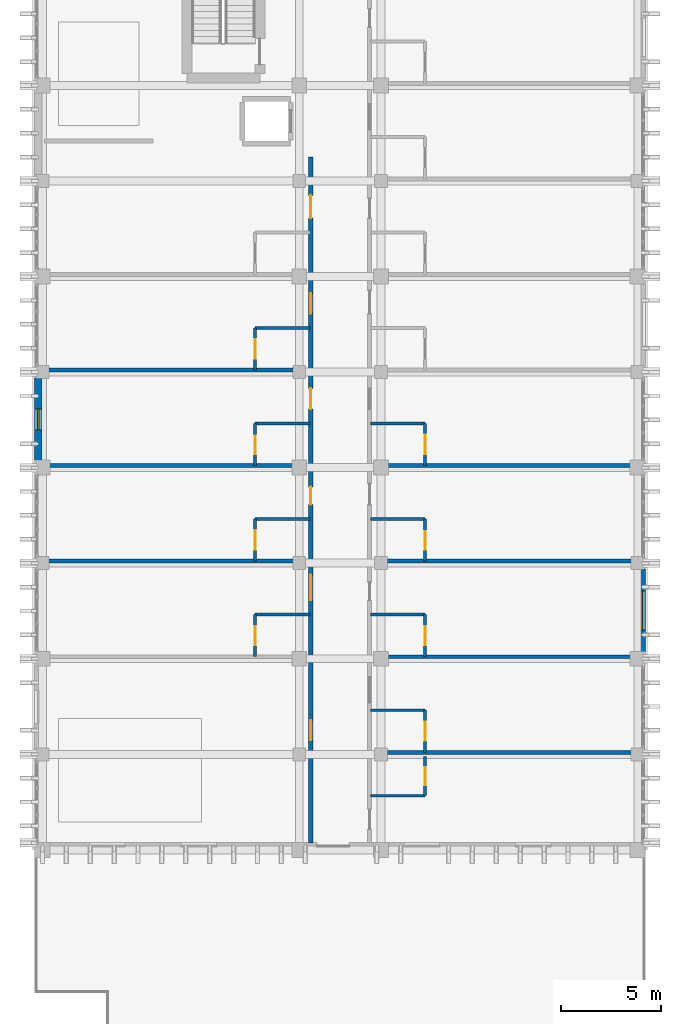
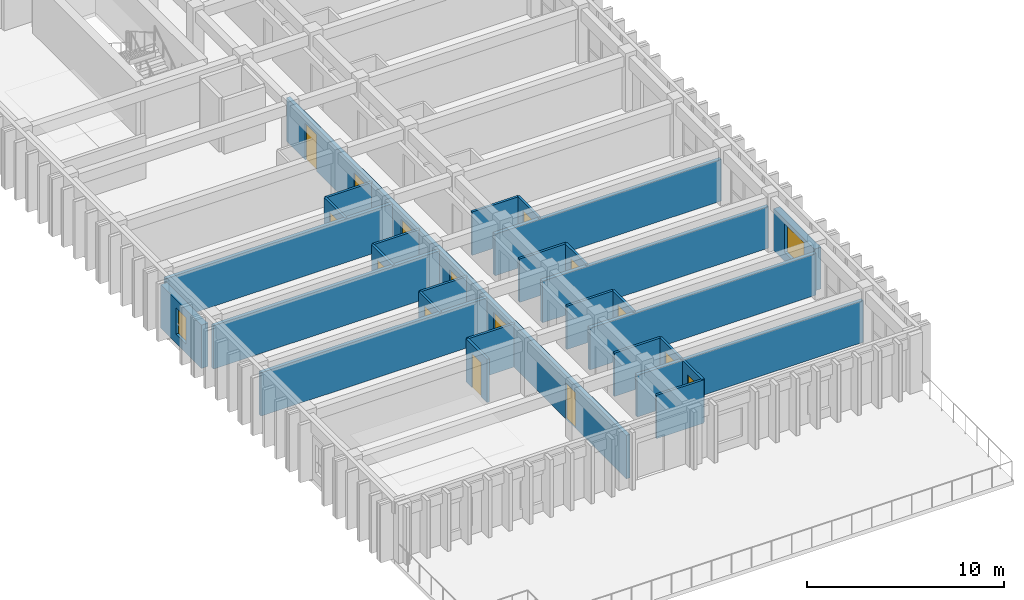
# One storey, part 50 of 64: 28 walls, 15 doors, 2 windows, 17 openings.
"""IFC4 building model written with IfcOpenShell, lengths in metres."""

from ifc_helpers import new_model, si_unit, direction, frame, frame_2d, origin, place, context, subcontext, project, spatial, rectangle, extrude, material, layer, layer_set, type_object, element, fill, save


model = new_model("IFC4")

# Units and contexts
model_context = context("Model", 3, precision=1e-05, world=origin(), true_north=direction((0.0, 1.0)))
body_context = subcontext(model_context, "Body", "Model", "MODEL_VIEW")
ifc_project = project(units=[si_unit("LENGTHUNIT", "METRE"), si_unit("AREAUNIT", "SQUARE_METRE"), si_unit("VOLUMEUNIT", "CUBIC_METRE"), si_unit("PLANEANGLEUNIT", "RADIAN"), si_unit("MASSUNIT", "GRAM", prefix="KILO")], contexts=[model_context])

# Site, building, storey
site_placement = place(None, origin())
site = spatial("IfcSite", under=ifc_project, at=site_placement, CompositionType="ELEMENT")
building_placement = place(site_placement, origin())
building = spatial("IfcBuilding", under=site, at=building_placement, Name="Nakhvara Creek Congress Hotel", CompositionType="ELEMENT")
storey_placement = place(building_placement, frame((0.0, 0.0, 28.199951171875)))
storey = spatial("IfcBuildingStorey", under=building, at=storey_placement, Name="L06", CompositionType="ELEMENT", Elevation=28.199951171875)

# Wall, openings, doors
ifc_material_1 = material(Name="Gypsum acoustic board on steel stud", Category="steel")
ifc_layer_1 = layer(ifc_material_1, 0.219970703125)
ifc_layer_set_1 = layer_set([ifc_layer_1], Name="Gypsum acoustic board on steel stud")
wall_type_1 = type_object("IfcWallType", Name="W-CORR-220", PredefinedType="PARTITIONING", material=ifc_layer_set_1)
wall_1_placement = place(storey_placement, frame((162.919921875, 38.75, 0.0), z_axis=(0.0, 0.0, 1.0), x_axis=(0.0, 1.0, 0.0)))
wall_1 = element("IfcWall", 1, at=wall_1_placement, inside=storey, type_object=wall_type_1, Name="Interior Wall WP11-IW-L06-0439", PredefinedType="PARTITIONING", context=body_context, shape_type="SweptSolid", body=[
    extrude(rectangle(XDim=34.449951171875, YDim=0.219970703125, at=frame_2d((17.22509765625, 0.0))), origin(), (0.0, 0.0, 1.0), 2.68212890625),
])
opening_1_placement = place(wall_1_placement, frame((5.14990234375, 0.0, 0.0)))
opening_1 = element("IfcOpeningElement", 2, at=opening_1_placement, cuts=wall_1, Name="Opening GD01", PredefinedType="OPENING", context=body_context, shape_type="SweptSolid", body=[
    extrude(rectangle(XDim=1.02001953125, YDim=2.199951171875, at=frame_2d((0.510009765625, 1.10009765625))), frame((0.0, 0.1220703125, 0.0), z_axis=(0.0, -1.0, 0.0), x_axis=(1.0, 0.0, 0.0)), (0.0, 0.0, 1.0), 0.243896484375),
])
opening_2_placement = place(wall_1_placement, frame((12.18798828125, 0.0, 0.0)))
opening_2 = element("IfcOpeningElement", 3, at=opening_2_placement, cuts=wall_1, Name="Opening ID07", PredefinedType="OPENING", context=body_context, shape_type="SweptSolid", body=[
    extrude(rectangle(XDim=1.280029296875, YDim=2.159912109375, at=frame_2d((0.64013671875, 1.080078125))), frame((0.0, 0.1220703125, 0.0), z_axis=(0.0, -1.0, 0.0), x_axis=(1.0, 0.0, 0.0)), (0.0, 0.0, 1.0), 0.243896484375),
])
opening_3_placement = place(wall_1_placement, frame((16.988037109375, 0.0, 0.0)))
opening_3 = element("IfcOpeningElement", 4, at=opening_3_placement, cuts=wall_1, Name="Opening ID03", PredefinedType="OPENING", context=body_context, shape_type="SweptSolid", body=[
    extrude(rectangle(XDim=0.89990234375, YDim=2.080078125, at=frame_2d((0.449951171875, 1.0400390625))), frame((0.0, 0.1220703125, 0.0), z_axis=(0.0, -1.0, 0.0), x_axis=(1.0, 0.0, 0.0)), (0.0, 0.0, 1.0), 0.243896484375),
])
opening_4_placement = place(wall_1_placement, frame((21.7880859375, 0.0, 0.0)))
opening_4 = element("IfcOpeningElement", 5, at=opening_4_placement, cuts=wall_1, Name="Opening GD04", PredefinedType="OPENING", context=body_context, shape_type="SweptSolid", body=[
    extrude(rectangle(XDim=1.050048828125, YDim=2.219970703125, at=frame_2d((0.52490234375, 1.10986328125))), frame((0.0, 0.1220703125, 0.0), z_axis=(0.0, -1.0, 0.0), x_axis=(1.0, 0.0, 0.0)), (0.0, 0.0, 1.0), 0.243896484375),
])
opening_5_placement = place(wall_1_placement, frame((26.587890625, 0.0, 0.0)))
opening_5 = element("IfcOpeningElement", 6, at=opening_5_placement, cuts=wall_1, Name="Opening GD01", PredefinedType="OPENING", context=body_context, shape_type="SweptSolid", body=[
    extrude(rectangle(XDim=1.02001953125, YDim=2.199951171875, at=frame_2d((0.510009765625, 1.10009765625))), frame((0.0, 0.1220703125, 0.0), z_axis=(0.0, -1.0, 0.0), x_axis=(1.0, 0.0, 0.0)), (0.0, 0.0, 1.0), 0.243896484375),
])
opening_6_placement = place(wall_1_placement, frame((31.387939453125, 0.0, 0.0)))
opening_6 = element("IfcOpeningElement", 7, at=opening_6_placement, cuts=wall_1, Name="Opening GD05", PredefinedType="OPENING", context=body_context, shape_type="SweptSolid", body=[
    extrude(rectangle(XDim=1.139892578125, YDim=2.260009765625, at=frame_2d((0.56982421875, 1.1298828125))), frame((0.0, 0.1220703125, 0.0), z_axis=(0.0, -1.0, 0.0), x_axis=(1.0, 0.0, 0.0)), (0.0, 0.0, 1.0), 0.243896484375),
])
ifc_material_2 = material(Name="Brushed stainless-clad BOH door")
door_type_1 = type_object("IfcDoorType", Name="DT-BOH-128", OperationType="NOTDEFINED", PredefinedType="DOOR", material=ifc_material_2)
door_1_placement = place(opening_2_placement, frame((1.280029296875, 0.0, 0.0), z_axis=(0.0, 0.0, 1.0), x_axis=(-1.0, 0.0, 0.0)))
door_1 = element("IfcDoor", 8, at=door_1_placement, inside=storey, type_object=door_type_1, Name="Interior Door ID07-0350", OperationType="SINGLE_SWING_LEFT", OverallHeight=2.159912109375, OverallWidth=1.280029296875, PredefinedType="DOOR", context=body_context, shape_type="SweptSolid", body=[
    extrude(rectangle(XDim=1.280029296875, YDim=2.159912109375, at=frame_2d((0.64013671875, 1.080078125))), frame((0.0, 0.02490234375, 0.0), z_axis=(0.0, -1.0, 0.0), x_axis=(1.0, 0.0, 0.0)), (0.0, 0.0, 1.0), 0.050048828125),
])
fill(opening_2, door_1)
ifc_material_3 = material(Name="Walnut hardwood timber fire door", Category="wood")
door_type_2 = type_object("IfcDoorType", Name="DT-GUEST-102", OperationType="NOTDEFINED", PredefinedType="DOOR", material=ifc_material_3)
door_2_placement = place(opening_1_placement, frame((1.02001953125, 0.0, 0.0), z_axis=(0.0, 0.0, 1.0), x_axis=(-1.0, 0.0, 0.0)))
door_2 = element("IfcDoor", 9, at=door_2_placement, inside=storey, type_object=door_type_2, Name="Interior Door GD01-0346", OperationType="SINGLE_SWING_LEFT", OverallHeight=2.199951171875, OverallWidth=1.02001953125, PredefinedType="DOOR", context=body_context, shape_type="SweptSolid", body=[
    extrude(rectangle(XDim=1.02001953125, YDim=2.199951171875, at=frame_2d((0.510009765625, 1.10009765625))), frame((0.0, 0.02490234375, 0.0), z_axis=(0.0, -1.0, 0.0), x_axis=(1.0, 0.0, 0.0)), (0.0, 0.0, 1.0), 0.050048828125),
])
fill(opening_1, door_2)
door_3_placement = place(opening_5_placement, frame((1.02001953125, 0.0, 0.0), z_axis=(0.0, 0.0, 1.0), x_axis=(-1.0, 0.0, 0.0)))
door_3 = element("IfcDoor", 10, at=door_3_placement, inside=storey, type_object=door_type_2, Name="Interior Door GD01-0356", OperationType="SINGLE_SWING_LEFT", OverallHeight=2.199951171875, OverallWidth=1.02001953125, PredefinedType="DOOR", context=body_context, shape_type="SweptSolid", body=[
    extrude(rectangle(XDim=1.02001953125, YDim=2.199951171875, at=frame_2d((0.510009765625, 1.10009765625))), frame((0.0, 0.02490234375, 0.0), z_axis=(0.0, -1.0, 0.0), x_axis=(1.0, 0.0, 0.0)), (0.0, 0.0, 1.0), 0.050048828125),
])
fill(opening_5, door_3)
door_type_3 = type_object("IfcDoorType", Name="DT-GUEST-105", OperationType="NOTDEFINED", PredefinedType="DOOR", material=ifc_material_3)
door_4_placement = place(opening_4_placement, frame((1.050048828125, 0.0, 0.0), z_axis=(0.0, 0.0, 1.0), x_axis=(-1.0, 0.0, 0.0)))
door_4 = element("IfcDoor", 11, at=door_4_placement, inside=storey, type_object=door_type_3, Name="Interior Door GD04-0354", OperationType="SINGLE_SWING_LEFT", OverallHeight=2.219970703125, OverallWidth=1.050048828125, PredefinedType="DOOR", context=body_context, shape_type="SweptSolid", body=[
    extrude(rectangle(XDim=1.050048828125, YDim=2.219970703125, at=frame_2d((0.52490234375, 1.10986328125))), frame((0.0, 0.02490234375, 0.0), z_axis=(0.0, -1.0, 0.0), x_axis=(1.0, 0.0, 0.0)), (0.0, 0.0, 1.0), 0.050048828125),
])
fill(opening_4, door_4)
door_type_4 = type_object("IfcDoorType", Name="DT-GUEST-114", OperationType="NOTDEFINED", PredefinedType="DOOR", material=ifc_material_3)
door_5_placement = place(opening_6_placement, frame((1.139892578125, 0.0, 0.0), z_axis=(0.0, 0.0, 1.0), x_axis=(-1.0, 0.0, 0.0)))
door_5 = element("IfcDoor", 12, at=door_5_placement, inside=storey, type_object=door_type_4, Name="Interior Door GD05-0358", OperationType="SINGLE_SWING_LEFT", OverallHeight=2.260009765625, OverallWidth=1.139892578125, PredefinedType="DOOR", context=body_context, shape_type="SweptSolid", body=[
    extrude(rectangle(XDim=1.139892578125, YDim=2.260009765625, at=frame_2d((0.56982421875, 1.1298828125))), frame((0.0, 0.02490234375, 0.0), z_axis=(0.0, -1.0, 0.0), x_axis=(1.0, 0.0, 0.0)), (0.0, 0.0, 1.0), 0.050048828125),
])
fill(opening_6, door_5)
ifc_material_4 = material(Name="Moisture-resistant laminate timber door", Category="wood")
door_type_5 = type_object("IfcDoorType", Name="DT-WC-090", OperationType="NOTDEFINED", PredefinedType="DOOR", material=ifc_material_4)
door_6_placement = place(opening_3_placement, frame((0.89990234375, 0.0, 0.0), z_axis=(0.0, 0.0, 1.0), x_axis=(-1.0, 0.0, 0.0)))
door_6 = element("IfcDoor", 13, at=door_6_placement, inside=storey, type_object=door_type_5, Name="Interior Door ID03-0352", OperationType="SINGLE_SWING_LEFT", OverallHeight=2.080078125, OverallWidth=0.89990234375, PredefinedType="DOOR", context=body_context, shape_type="SweptSolid", body=[
    extrude(rectangle(XDim=0.89990234375, YDim=2.080078125, at=frame_2d((0.449951171875, 1.0400390625))), frame((0.0, 0.02490234375, 0.0), z_axis=(0.0, -1.0, 0.0), x_axis=(1.0, 0.0, 0.0)), (0.0, 0.0, 1.0), 0.050048828125),
])
fill(opening_3, door_6)

# Wall, opening, door
ifc_material_5 = material(Name="Moisture-resistant gypsum board partition")
ifc_layer_2 = layer(ifc_material_5, 0.139892578125)
ifc_layer_set_2 = layer_set([ifc_layer_2], Name="Moisture-resistant gypsum board partition")
wall_type_2 = type_object("IfcWallType", Name="W-ENS-140", PredefinedType="PARTITIONING", material=ifc_layer_set_2)
wall_2_placement = place(storey_placement, frame((160.1298828125, 48.10009765625, 0.0), z_axis=(0.0, 0.0, 1.0), x_axis=(0.0, 1.0, 0.0)))
wall_2 = element("IfcWall", 14, at=wall_2_placement, inside=storey, type_object=wall_type_2, Name="Interior Wall WP15-IW-L06-0451", PredefinedType="PARTITIONING", context=body_context, shape_type="SweptSolid", body=[
    extrude(rectangle(XDim=2.115966796875, YDim=0.139892578125, at=frame_2d((1.05810546875, 0.0))), origin(), (0.0, 0.0, 1.0), 2.68212890625),
])
opening_7_placement = place(wall_2_placement, frame((0.5830078125, 0.0, 0.0)))
opening_7 = element("IfcOpeningElement", 15, at=opening_7_placement, cuts=wall_2, Name="Opening ID02", PredefinedType="OPENING", context=body_context, shape_type="SweptSolid", body=[
    extrude(rectangle(XDim=0.9599609375, YDim=2.1201171875, at=frame_2d((0.47998046875, 1.06005859375))), frame((0.0, 0.08203125, 0.0), z_axis=(0.0, -1.0, 0.0), x_axis=(1.0, 0.0, 0.0)), (0.0, 0.0, 1.0), 0.163818359375),
])
ifc_material_6 = material(Name="Moisture-resistant walnut timber door", Category="wood")
door_type_6 = type_object("IfcDoorType", Name="DT-ENS-096", OperationType="NOTDEFINED", PredefinedType="DOOR", material=ifc_material_6)
door_7_placement = place(opening_7_placement, origin())
door_7 = element("IfcDoor", 16, at=door_7_placement, inside=storey, type_object=door_type_6, Name="Interior Door ID02-0351", OperationType="SINGLE_SWING_RIGHT", OverallHeight=2.1201171875, OverallWidth=0.9599609375, PredefinedType="DOOR", context=body_context, shape_type="SweptSolid", body=[
    extrude(rectangle(XDim=0.9599609375, YDim=2.1201171875, at=frame_2d((0.47998046875, 1.06005859375))), frame((0.0, 0.02490234375, 0.0), z_axis=(0.0, -1.0, 0.0), x_axis=(1.0, 0.0, 0.0)), (0.0, 0.0, 1.0), 0.050048828125),
])
fill(opening_7, door_7)

# Wall
wall_3_placement = place(storey_placement, frame((160.1298828125, 50.216064453125, 0.0), z_axis=(0.0, 0.0, 1.0), x_axis=(1.0, 0.0, 0.0)))
element("IfcWall", 17, at=wall_3_placement, inside=storey, type_object=wall_type_2, Name="Interior Wall WP15-IW-L06-0452", PredefinedType="PARTITIONING", context=body_context, shape_type="SweptSolid", body=[
    extrude(rectangle(XDim=2.75, YDim=0.139892578125, at=frame_2d((1.375, 0.0))), origin(), (0.0, 0.0, 1.0), 2.68212890625),
])

# Wall, opening, door
wall_4_placement = place(storey_placement, frame((160.1298828125, 52.89990234375, 0.0), z_axis=(0.0, 0.0, 1.0), x_axis=(0.0, 1.0, 0.0)))
wall_4 = element("IfcWall", 18, at=wall_4_placement, inside=storey, type_object=wall_type_2, Name="Interior Wall WP15-IW-L06-0454", PredefinedType="PARTITIONING", context=body_context, shape_type="SweptSolid", body=[
    extrude(rectangle(XDim=2.1162109375, YDim=0.139892578125, at=frame_2d((1.05810546875, 0.0))), origin(), (0.0, 0.0, 1.0), 2.68212890625),
])
opening_8_placement = place(wall_4_placement, frame((0.5830078125, 0.0, 0.0)))
opening_8 = element("IfcOpeningElement", 19, at=opening_8_placement, cuts=wall_4, Name="Opening ID02", PredefinedType="OPENING", context=body_context, shape_type="SweptSolid", body=[
    extrude(rectangle(XDim=0.9599609375, YDim=2.1201171875, at=frame_2d((0.47998046875, 1.06005859375))), frame((0.0, 0.08203125, 0.0), z_axis=(0.0, -1.0, 0.0), x_axis=(1.0, 0.0, 0.0)), (0.0, 0.0, 1.0), 0.163818359375),
])
door_8_placement = place(opening_8_placement, origin())
door_8 = element("IfcDoor", 20, at=door_8_placement, inside=storey, type_object=door_type_6, Name="Interior Door ID02-0353", OperationType="SINGLE_SWING_RIGHT", OverallHeight=2.1201171875, OverallWidth=0.9599609375, PredefinedType="DOOR", context=body_context, shape_type="SweptSolid", body=[
    extrude(rectangle(XDim=0.9599609375, YDim=2.1201171875, at=frame_2d((0.47998046875, 1.06005859375))), frame((0.0, 0.02490234375, 0.0), z_axis=(0.0, -1.0, 0.0), x_axis=(1.0, 0.0, 0.0)), (0.0, 0.0, 1.0), 0.050048828125),
])
fill(opening_8, door_8)

# Wall
wall_5_placement = place(storey_placement, frame((160.1298828125, 55.01611328125, 0.0), z_axis=(0.0, 0.0, 1.0), x_axis=(1.0, 0.0, 0.0)))
element("IfcWall", 21, at=wall_5_placement, inside=storey, type_object=wall_type_2, Name="Interior Wall WP15-IW-L06-0455", PredefinedType="PARTITIONING", context=body_context, shape_type="SweptSolid", body=[
    extrude(rectangle(XDim=2.75, YDim=0.139892578125, at=frame_2d((1.375, 0.0))), origin(), (0.0, 0.0, 1.0), 2.68212890625),
])

# Wall, opening, door
wall_6_placement = place(storey_placement, frame((160.1298828125, 57.699951171875, 0.0), z_axis=(0.0, 0.0, 1.0), x_axis=(0.0, 1.0, 0.0)))
wall_6 = element("IfcWall", 22, at=wall_6_placement, inside=storey, type_object=wall_type_2, Name="Interior Wall WP15-IW-L06-0457", PredefinedType="PARTITIONING", context=body_context, shape_type="SweptSolid", body=[
    extrude(rectangle(XDim=2.115966796875, YDim=0.139892578125, at=frame_2d((1.05810546875, 0.0))), origin(), (0.0, 0.0, 1.0), 2.68212890625),
])
opening_9_placement = place(wall_6_placement, frame((0.5830078125, 0.0, 0.0)))
opening_9 = element("IfcOpeningElement", 23, at=opening_9_placement, cuts=wall_6, Name="Opening ID01", PredefinedType="OPENING", context=body_context, shape_type="SweptSolid", body=[
    extrude(rectangle(XDim=0.919921875, YDim=2.10009765625, at=frame_2d((0.4599609375, 1.050048828125))), frame((0.0, 0.08203125, 0.0), z_axis=(0.0, -1.0, 0.0), x_axis=(1.0, 0.0, 0.0)), (0.0, 0.0, 1.0), 0.163818359375),
])
door_type_7 = type_object("IfcDoorType", Name="DT-ENS-092", OperationType="NOTDEFINED", PredefinedType="DOOR", material=ifc_material_6)
door_9_placement = place(opening_9_placement, origin())
door_9 = element("IfcDoor", 24, at=door_9_placement, inside=storey, type_object=door_type_7, Name="Interior Door ID01-0355", OperationType="SINGLE_SWING_RIGHT", OverallHeight=2.10009765625, OverallWidth=0.919921875, PredefinedType="DOOR", context=body_context, shape_type="SweptSolid", body=[
    extrude(rectangle(XDim=0.919921875, YDim=2.10009765625, at=frame_2d((0.4599609375, 1.050048828125))), frame((0.0, 0.02490234375, 0.0), z_axis=(0.0, -1.0, 0.0), x_axis=(1.0, 0.0, 0.0)), (0.0, 0.0, 1.0), 0.050048828125),
])
fill(opening_9, door_9)

# Wall
wall_7_placement = place(storey_placement, frame((160.1298828125, 59.81591796875, 0.0), z_axis=(0.0, 0.0, 1.0), x_axis=(1.0, 0.0, 0.0)))
element("IfcWall", 25, at=wall_7_placement, inside=storey, type_object=wall_type_2, Name="Interior Wall WP15-IW-L06-0458", PredefinedType="PARTITIONING", context=body_context, shape_type="SweptSolid", body=[
    extrude(rectangle(XDim=2.75, YDim=0.139892578125, at=frame_2d((1.375, 0.0))), origin(), (0.0, 0.0, 1.0), 2.68212890625),
])

# Wall, opening, door
wall_8_placement = place(storey_placement, frame((160.1298828125, 62.5, 0.0), z_axis=(0.0, 0.0, 1.0), x_axis=(0.0, 1.0, 0.0)))
wall_8 = element("IfcWall", 26, at=wall_8_placement, inside=storey, type_object=wall_type_2, Name="Interior Wall WP15-IW-L06-0460", PredefinedType="PARTITIONING", context=body_context, shape_type="SweptSolid", body=[
    extrude(rectangle(XDim=2.115966796875, YDim=0.139892578125, at=frame_2d((1.05810546875, 0.0))), origin(), (0.0, 0.0, 1.0), 2.68212890625),
])
opening_10_placement = place(wall_8_placement, frame((0.5830078125, 0.0, 0.0)))
opening_10 = element("IfcOpeningElement", 27, at=opening_10_placement, cuts=wall_8, Name="Opening ID02", PredefinedType="OPENING", context=body_context, shape_type="SweptSolid", body=[
    extrude(rectangle(XDim=0.9599609375, YDim=2.1201171875, at=frame_2d((0.47998046875, 1.06005859375))), frame((0.0, 0.08203125, 0.0), z_axis=(0.0, -1.0, 0.0), x_axis=(1.0, 0.0, 0.0)), (0.0, 0.0, 1.0), 0.163818359375),
])
door_10_placement = place(opening_10_placement, origin())
door_10 = element("IfcDoor", 28, at=door_10_placement, inside=storey, type_object=door_type_6, Name="Interior Door ID02-0357", OperationType="SINGLE_SWING_RIGHT", OverallHeight=2.1201171875, OverallWidth=0.9599609375, PredefinedType="DOOR", context=body_context, shape_type="SweptSolid", body=[
    extrude(rectangle(XDim=0.9599609375, YDim=2.1201171875, at=frame_2d((0.47998046875, 1.06005859375))), frame((0.0, 0.02490234375, 0.0), z_axis=(0.0, -1.0, 0.0), x_axis=(1.0, 0.0, 0.0)), (0.0, 0.0, 1.0), 0.050048828125),
])
fill(opening_10, door_10)

# Wall
wall_9_placement = place(storey_placement, frame((160.1298828125, 64.615966796875, 0.0), z_axis=(0.0, 0.0, 1.0), x_axis=(1.0, 0.0, 0.0)))
element("IfcWall", 29, at=wall_9_placement, inside=storey, type_object=wall_type_2, Name="Interior Wall WP15-IW-L06-0461", PredefinedType="PARTITIONING", context=body_context, shape_type="SweptSolid", body=[
    extrude(rectangle(XDim=2.75, YDim=0.139892578125, at=frame_2d((1.375, 0.0))), origin(), (0.0, 0.0, 1.0), 2.68212890625),
])

# Wall, opening, door
wall_10_placement = place(storey_placement, frame((168.669921875, 41.1220703125, 0.0), z_axis=(0.0, 0.0, 1.0), x_axis=(0.0, 1.0, 0.0)))
wall_10 = element("IfcWall", 30, at=wall_10_placement, inside=storey, type_object=wall_type_2, Name="Interior Wall WP15-IW-L06-0465", PredefinedType="PARTITIONING", context=body_context, shape_type="SweptSolid", body=[
    extrude(rectangle(XDim=1.97802734375, YDim=0.139892578125, at=frame_2d((0.989013671875, 0.0))), origin(), (0.0, 0.0, 1.0), 2.68212890625),
])
opening_11_placement = place(wall_10_placement, frame((0.513916015625, 0.0, 0.0)))
opening_11 = element("IfcOpeningElement", 31, at=opening_11_placement, cuts=wall_10, Name="Opening ID01", PredefinedType="OPENING", context=body_context, shape_type="SweptSolid", body=[
    extrude(rectangle(XDim=0.919921875, YDim=2.10009765625, at=frame_2d((0.4599609375, 1.050048828125))), frame((0.0, 0.08203125, 0.0), z_axis=(0.0, -1.0, 0.0), x_axis=(1.0, 0.0, 0.0)), (0.0, 0.0, 1.0), 0.163818359375),
])
door_11_placement = place(opening_11_placement, frame((0.919921875, 0.0, 0.0), z_axis=(0.0, 0.0, 1.0), x_axis=(-1.0, 0.0, 0.0)))
door_11 = element("IfcDoor", 32, at=door_11_placement, inside=storey, type_object=door_type_7, Name="Interior Door ID01-0361", OperationType="SINGLE_SWING_RIGHT", OverallHeight=2.10009765625, OverallWidth=0.919921875, PredefinedType="DOOR", context=body_context, shape_type="SweptSolid", body=[
    extrude(rectangle(XDim=0.919921875, YDim=2.10009765625, at=frame_2d((0.4599609375, 1.050048828125))), frame((0.0, 0.02490234375, 0.0), z_axis=(0.0, -1.0, 0.0), x_axis=(1.0, 0.0, 0.0)), (0.0, 0.0, 1.0), 0.050048828125),
])
fill(opening_11, door_11)

# Wall
wall_11_placement = place(storey_placement, frame((165.919921875, 41.1220703125, 0.0), z_axis=(0.0, 0.0, 1.0), x_axis=(1.0, 0.0, 0.0)))
element("IfcWall", 33, at=wall_11_placement, inside=storey, type_object=wall_type_2, Name="Interior Wall WP15-IW-L06-0466", PredefinedType="PARTITIONING", context=body_context, shape_type="SweptSolid", body=[
    extrude(rectangle(XDim=2.75, YDim=0.139892578125, at=frame_2d((1.375, 0.0))), origin(), (0.0, 0.0, 1.0), 2.68212890625),
])

# Wall, opening, door
wall_12_placement = place(storey_placement, frame((168.669921875, 43.300048828125, 0.0), z_axis=(0.0, 0.0, 1.0), x_axis=(0.0, 1.0, 0.0)))
wall_12 = element("IfcWall", 34, at=wall_12_placement, inside=storey, type_object=wall_type_2, Name="Interior Wall WP15-IW-L06-0468", PredefinedType="PARTITIONING", context=body_context, shape_type="SweptSolid", body=[
    extrude(rectangle(XDim=2.115966796875, YDim=0.139892578125, at=frame_2d((1.05810546875, 0.0))), origin(), (0.0, 0.0, 1.0), 2.68212890625),
])
opening_12_placement = place(wall_12_placement, frame((0.5830078125, 0.0, 0.0)))
opening_12 = element("IfcOpeningElement", 35, at=opening_12_placement, cuts=wall_12, Name="Opening ID02", PredefinedType="OPENING", context=body_context, shape_type="SweptSolid", body=[
    extrude(rectangle(XDim=0.9599609375, YDim=2.1201171875, at=frame_2d((0.47998046875, 1.06005859375))), frame((0.0, 0.08203125, 0.0), z_axis=(0.0, -1.0, 0.0), x_axis=(1.0, 0.0, 0.0)), (0.0, 0.0, 1.0), 0.163818359375),
])
door_12_placement = place(opening_12_placement, frame((0.9599609375, 0.0, 0.0), z_axis=(0.0, 0.0, 1.0), x_axis=(-1.0, 0.0, 0.0)))
door_12 = element("IfcDoor", 36, at=door_12_placement, inside=storey, type_object=door_type_6, Name="Interior Door ID02-0363", OperationType="SINGLE_SWING_RIGHT", OverallHeight=2.1201171875, OverallWidth=0.9599609375, PredefinedType="DOOR", context=body_context, shape_type="SweptSolid", body=[
    extrude(rectangle(XDim=0.9599609375, YDim=2.1201171875, at=frame_2d((0.47998046875, 1.06005859375))), frame((0.0, 0.02490234375, 0.0), z_axis=(0.0, -1.0, 0.0), x_axis=(1.0, 0.0, 0.0)), (0.0, 0.0, 1.0), 0.050048828125),
])
fill(opening_12, door_12)

# Wall
wall_13_placement = place(storey_placement, frame((165.919921875, 45.416015625, 0.0), z_axis=(0.0, 0.0, 1.0), x_axis=(1.0, 0.0, 0.0)))
element("IfcWall", 37, at=wall_13_placement, inside=storey, type_object=wall_type_2, Name="Interior Wall WP15-IW-L06-0469", PredefinedType="PARTITIONING", context=body_context, shape_type="SweptSolid", body=[
    extrude(rectangle(XDim=2.75, YDim=0.139892578125, at=frame_2d((1.375, 0.0))), origin(), (0.0, 0.0, 1.0), 2.68212890625),
])

# Wall, opening, door
wall_14_placement = place(storey_placement, frame((168.669921875, 48.10009765625, 0.0), z_axis=(0.0, 0.0, 1.0), x_axis=(0.0, 1.0, 0.0)))
wall_14 = element("IfcWall", 38, at=wall_14_placement, inside=storey, type_object=wall_type_2, Name="Interior Wall WP15-IW-L06-0471", PredefinedType="PARTITIONING", context=body_context, shape_type="SweptSolid", body=[
    extrude(rectangle(XDim=2.115966796875, YDim=0.139892578125, at=frame_2d((1.05810546875, 0.0))), origin(), (0.0, 0.0, 1.0), 2.68212890625),
])
opening_13_placement = place(wall_14_placement, frame((0.5830078125, 0.0, 0.0)))
opening_13 = element("IfcOpeningElement", 39, at=opening_13_placement, cuts=wall_14, Name="Opening ID02", PredefinedType="OPENING", context=body_context, shape_type="SweptSolid", body=[
    extrude(rectangle(XDim=0.9599609375, YDim=2.1201171875, at=frame_2d((0.47998046875, 1.06005859375))), frame((0.0, 0.08203125, 0.0), z_axis=(0.0, -1.0, 0.0), x_axis=(1.0, 0.0, 0.0)), (0.0, 0.0, 1.0), 0.163818359375),
])
door_13_placement = place(opening_13_placement, frame((0.9599609375, 0.0, 0.0), z_axis=(0.0, 0.0, 1.0), x_axis=(-1.0, 0.0, 0.0)))
door_13 = element("IfcDoor", 40, at=door_13_placement, inside=storey, type_object=door_type_6, Name="Interior Door ID02-0365", OperationType="SINGLE_SWING_RIGHT", OverallHeight=2.1201171875, OverallWidth=0.9599609375, PredefinedType="DOOR", context=body_context, shape_type="SweptSolid", body=[
    extrude(rectangle(XDim=0.9599609375, YDim=2.1201171875, at=frame_2d((0.47998046875, 1.06005859375))), frame((0.0, 0.02490234375, 0.0), z_axis=(0.0, -1.0, 0.0), x_axis=(1.0, 0.0, 0.0)), (0.0, 0.0, 1.0), 0.050048828125),
])
fill(opening_13, door_13)

# Wall
wall_15_placement = place(storey_placement, frame((165.919921875, 50.216064453125, 0.0), z_axis=(0.0, 0.0, 1.0), x_axis=(1.0, 0.0, 0.0)))
element("IfcWall", 41, at=wall_15_placement, inside=storey, type_object=wall_type_2, Name="Interior Wall WP15-IW-L06-0472", PredefinedType="PARTITIONING", context=body_context, shape_type="SweptSolid", body=[
    extrude(rectangle(XDim=2.75, YDim=0.139892578125, at=frame_2d((1.375, 0.0))), origin(), (0.0, 0.0, 1.0), 2.68212890625),
])

# Wall, opening, door
wall_16_placement = place(storey_placement, frame((168.669921875, 52.89990234375, 0.0), z_axis=(0.0, 0.0, 1.0), x_axis=(0.0, 1.0, 0.0)))
wall_16 = element("IfcWall", 42, at=wall_16_placement, inside=storey, type_object=wall_type_2, Name="Interior Wall WP15-IW-L06-0474", PredefinedType="PARTITIONING", context=body_context, shape_type="SweptSolid", body=[
    extrude(rectangle(XDim=2.1162109375, YDim=0.139892578125, at=frame_2d((1.05810546875, 0.0))), origin(), (0.0, 0.0, 1.0), 2.68212890625),
])
opening_14_placement = place(wall_16_placement, frame((0.5830078125, 0.0, 0.0)))
opening_14 = element("IfcOpeningElement", 43, at=opening_14_placement, cuts=wall_16, Name="Opening ID01", PredefinedType="OPENING", context=body_context, shape_type="SweptSolid", body=[
    extrude(rectangle(XDim=0.919921875, YDim=2.10009765625, at=frame_2d((0.4599609375, 1.050048828125))), frame((0.0, 0.08203125, 0.0), z_axis=(0.0, -1.0, 0.0), x_axis=(1.0, 0.0, 0.0)), (0.0, 0.0, 1.0), 0.163818359375),
])
door_14_placement = place(opening_14_placement, frame((0.919921875, 0.0, 0.0), z_axis=(0.0, 0.0, 1.0), x_axis=(-1.0, 0.0, 0.0)))
door_14 = element("IfcDoor", 44, at=door_14_placement, inside=storey, type_object=door_type_7, Name="Interior Door ID01-0367", OperationType="SINGLE_SWING_RIGHT", OverallHeight=2.10009765625, OverallWidth=0.919921875, PredefinedType="DOOR", context=body_context, shape_type="SweptSolid", body=[
    extrude(rectangle(XDim=0.919921875, YDim=2.10009765625, at=frame_2d((0.4599609375, 1.050048828125))), frame((0.0, 0.02490234375, 0.0), z_axis=(0.0, -1.0, 0.0), x_axis=(1.0, 0.0, 0.0)), (0.0, 0.0, 1.0), 0.050048828125),
])
fill(opening_14, door_14)

# Wall
wall_17_placement = place(storey_placement, frame((165.919921875, 55.01611328125, 0.0), z_axis=(0.0, 0.0, 1.0), x_axis=(1.0, 0.0, 0.0)))
element("IfcWall", 45, at=wall_17_placement, inside=storey, type_object=wall_type_2, Name="Interior Wall WP15-IW-L06-0475", PredefinedType="PARTITIONING", context=body_context, shape_type="SweptSolid", body=[
    extrude(rectangle(XDim=2.75, YDim=0.139892578125, at=frame_2d((1.375, 0.0))), origin(), (0.0, 0.0, 1.0), 2.68212890625),
])

# Wall, opening, door
wall_18_placement = place(storey_placement, frame((168.669921875, 57.699951171875, 0.0), z_axis=(0.0, 0.0, 1.0), x_axis=(0.0, 1.0, 0.0)))
wall_18 = element("IfcWall", 46, at=wall_18_placement, inside=storey, type_object=wall_type_2, Name="Interior Wall WP15-IW-L06-0477", PredefinedType="PARTITIONING", context=body_context, shape_type="SweptSolid", body=[
    extrude(rectangle(XDim=2.115966796875, YDim=0.139892578125, at=frame_2d((1.05810546875, 0.0))), origin(), (0.0, 0.0, 1.0), 2.68212890625),
])
opening_15_placement = place(wall_18_placement, frame((0.5830078125, 0.0, 0.0)))
opening_15 = element("IfcOpeningElement", 47, at=opening_15_placement, cuts=wall_18, Name="Opening ID02", PredefinedType="OPENING", context=body_context, shape_type="SweptSolid", body=[
    extrude(rectangle(XDim=0.9599609375, YDim=2.1201171875, at=frame_2d((0.47998046875, 1.06005859375))), frame((0.0, 0.08203125, 0.0), z_axis=(0.0, -1.0, 0.0), x_axis=(1.0, 0.0, 0.0)), (0.0, 0.0, 1.0), 0.163818359375),
])
door_15_placement = place(opening_15_placement, frame((0.9599609375, 0.0, 0.0), z_axis=(0.0, 0.0, 1.0), x_axis=(-1.0, 0.0, 0.0)))
door_15 = element("IfcDoor", 48, at=door_15_placement, inside=storey, type_object=door_type_6, Name="Interior Door ID02-0369", OperationType="SINGLE_SWING_RIGHT", OverallHeight=2.1201171875, OverallWidth=0.9599609375, PredefinedType="DOOR", context=body_context, shape_type="SweptSolid", body=[
    extrude(rectangle(XDim=0.9599609375, YDim=2.1201171875, at=frame_2d((0.47998046875, 1.06005859375))), frame((0.0, 0.02490234375, 0.0), z_axis=(0.0, -1.0, 0.0), x_axis=(1.0, 0.0, 0.0)), (0.0, 0.0, 1.0), 0.050048828125),
])
fill(opening_15, door_15)

# Wall
wall_19_placement = place(storey_placement, frame((165.919921875, 59.81591796875, 0.0), z_axis=(0.0, 0.0, 1.0), x_axis=(1.0, 0.0, 0.0)))
element("IfcWall", 49, at=wall_19_placement, inside=storey, type_object=wall_type_2, Name="Interior Wall WP15-IW-L06-0478", PredefinedType="PARTITIONING", context=body_context, shape_type="SweptSolid", body=[
    extrude(rectangle(XDim=2.75, YDim=0.139892578125, at=frame_2d((1.375, 0.0))), origin(), (0.0, 0.0, 1.0), 2.68212890625),
])

# Wall, opening, window
ifc_material_7 = material(Name="Honed pale Omani limestone cladding", Category="masonry")
ifc_layer_3 = layer(ifc_material_7, 0.050048828125)
ifc_material_8 = material(Name="Mineral wool thermal insulation")
ifc_layer_4 = layer(ifc_material_8, 0.110107421875)
ifc_material_9 = material(Name="Precast concrete C40/50", Category="concrete")
ifc_layer_5 = layer(ifc_material_9, 0.219970703125)
ifc_layer_set_3 = layer_set([ifc_layer_3, ifc_layer_4, ifc_layer_5], Name="Precast concrete C40/50")
wall_type_3 = type_object("IfcWallType", Name="W-EXT-380", PredefinedType="SOLIDWALL", material=ifc_layer_set_3)
wall_20_placement = place(storey_placement, frame((179.56005859375, 52.5, 0.0), z_axis=(0.0, 0.0, 1.0), x_axis=(0.0, -1.0, 0.0)))
wall_20 = element("IfcWall", 50, at=wall_20_placement, inside=storey, type_object=wall_type_3, Name="Exterior Wall WE03-EW-L06-0165", PredefinedType="SOLIDWALL", context=body_context, shape_type="SweptSolid", body=[
    extrude(rectangle(XDim=4.14990234375, YDim=0.3798828125, at=frame_2d((2.074951171875, 0.0))), origin(), (0.0, 0.0, 1.0), 2.58203125),
])
opening_16_placement = place(wall_20_placement, frame((1.10009765625, 0.0, 0.550048828125)))
opening_16 = element("IfcOpeningElement", 51, at=opening_16_placement, cuts=wall_20, Name="Opening WN0180", PredefinedType="OPENING", context=body_context, shape_type="SweptSolid", body=[
    extrude(rectangle(XDim=1.949951171875, YDim=1.77001953125, at=frame_2d((0.97509765625, 0.885009765625))), frame((0.0, 0.201904296875, 0.0), z_axis=(0.0, -1.0, 0.0), x_axis=(1.0, 0.0, 0.0)), (0.0, 0.0, 1.0), 0.40380859375),
])
ifc_material_10 = material(Name="Thermally broken bronze-anodised aluminium and double-silver low-E insulated glass", Category="aluminium")
window_type_1 = type_object("IfcWindowType", Name="WN-LAN-195X230", PartitioningType="SINGLE_PANEL", PredefinedType="WINDOW", material=ifc_material_10)
window_1_placement = place(opening_16_placement, origin())
window_1 = element("IfcWindow", 52, at=window_1_placement, inside=storey, type_object=window_type_1, Name="Facade Window WN0180", OverallHeight=1.77001953125, OverallWidth=1.949951171875, PartitioningType="SINGLE_PANEL", PredefinedType="WINDOW", context=body_context, shape_type="SweptSolid", body=[
    extrude(rectangle(XDim=1.949951171875, YDim=1.77001953125, at=frame_2d((0.97509765625, 0.885009765625))), frame((0.0, 0.030029296875, 0.0), z_axis=(0.0, -1.0, 0.0), x_axis=(1.0, 0.0, 0.0)), (0.0, 0.0, 1.0), 0.06005859375),
])
fill(opening_16, window_1)

wall_21_placement = place(storey_placement, frame((149.239990234375, 57.949951171875, 0.0), z_axis=(0.0, 0.0, 1.0), x_axis=(0.0, 1.0, 0.0)))
wall_21 = element("IfcWall", 53, at=wall_21_placement, inside=storey, type_object=wall_type_3, Name="Exterior Wall WE03-EW-L06-0166", PredefinedType="SOLIDWALL", context=body_context, shape_type="SweptSolid", body=[
    extrude(rectangle(XDim=4.150146484375, YDim=0.3798828125, at=frame_2d((2.0751953125, 0.0))), origin(), (0.0, 0.0, 1.0), 2.68212890625),
])
opening_17_placement = place(wall_21_placement, frame((1.550048828125, 0.0, 0.550048828125)))
opening_17 = element("IfcOpeningElement", 54, at=opening_17_placement, cuts=wall_21, Name="Opening WN0179", PredefinedType="OPENING", context=body_context, shape_type="SweptSolid", body=[
    extrude(rectangle(XDim=1.050048828125, YDim=1.64990234375, at=frame_2d((0.52490234375, 0.824951171875))), frame((0.0, 0.201904296875, 0.0), z_axis=(0.0, -1.0, 0.0), x_axis=(1.0, 0.0, 0.0)), (0.0, 0.0, 1.0), 0.40380859375),
])
window_type_2 = type_object("IfcWindowType", Name="WN-LAN-105X180", PartitioningType="SINGLE_PANEL", PredefinedType="WINDOW", material=ifc_material_10)
window_2_placement = place(opening_17_placement, origin())
window_2 = element("IfcWindow", 55, at=window_2_placement, inside=storey, type_object=window_type_2, Name="Facade Window WN0179", OverallHeight=1.64990234375, OverallWidth=1.050048828125, PartitioningType="SINGLE_PANEL", PredefinedType="WINDOW", context=body_context, shape_type="SweptSolid", body=[
    extrude(rectangle(XDim=1.050048828125, YDim=1.64990234375, at=frame_2d((0.52490234375, 0.824951171875))), frame((0.0, 0.030029296875, 0.0), z_axis=(0.0, -1.0, 0.0), x_axis=(1.0, 0.0, 0.0)), (0.0, 0.0, 1.0), 0.06005859375),
])
fill(opening_17, window_2)

# Walls
ifc_layer_6 = layer(ifc_material_1, 0.199951171875)
ifc_layer_set_4 = layer_set([ifc_layer_6], Name="Gypsum acoustic board on steel stud")
wall_type_4 = type_object("IfcWallType", Name="W-PART-200", PredefinedType="PARTITIONING", material=ifc_layer_set_4)
for number, where, z_axis, x_axis, name in (
    (56, (149.550048828125, 52.89990234375, 0.0), (0.0, 0.0, 1.0), (1.0, 0.0, 0.0), "Interior Wall WP12-IW-L06-0453"),
    (57, (149.550048828125, 57.699951171875, 0.0), (0.0, 0.0, 1.0), (1.0, 0.0, 0.0), "Interior Wall WP12-IW-L06-0456"),
    (58, (149.550048828125, 62.5, 0.0), (0.0, 0.0, 1.0), (1.0, 0.0, 0.0), "Interior Wall WP12-IW-L06-0459"),
):
    element("IfcWall", number, at=place(storey_placement, frame(where, z_axis=z_axis, x_axis=x_axis)), inside=storey, type_object=wall_type_4, Name=name, PredefinedType="PARTITIONING", context=body_context, shape_type="SweptSolid", body=[
        extrude(rectangle(XDim=13.22998046875, YDim=0.199951171875, at=frame_2d((6.614990234375, 0.0))), origin(), (0.0, 0.0, 1.0), 2.68212890625),
    ])
for number, where, z_axis, x_axis, name in (
    (59, (166.02001953125, 43.300048828125, 0.0), (0.0, 0.0, 1.0), (1.0, 0.0, 0.0), "Interior Wall WP12-IW-L06-0467"),
    (60, (166.02001953125, 48.10009765625, 0.0), (0.0, 0.0, 1.0), (1.0, 0.0, 0.0), "Interior Wall WP12-IW-L06-0470"),
    (61, (166.02001953125, 52.89990234375, 0.0), (0.0, 0.0, 1.0), (1.0, 0.0, 0.0), "Interior Wall WP12-IW-L06-0473"),
    (62, (166.02001953125, 57.699951171875, 0.0), (0.0, 0.0, 1.0), (1.0, 0.0, 0.0), "Interior Wall WP12-IW-L06-0476"),
):
    element("IfcWall", number, at=place(storey_placement, frame(where, z_axis=z_axis, x_axis=x_axis)), inside=storey, type_object=wall_type_4, Name=name, PredefinedType="PARTITIONING", context=body_context, shape_type="SweptSolid", body=[
        extrude(rectangle(XDim=13.22998046875, YDim=0.199951171875, at=frame_2d((6.614990234375, 0.0))), origin(), (0.0, 0.0, 1.0), 2.58203125),
    ])

save(model, "model.ifc")
